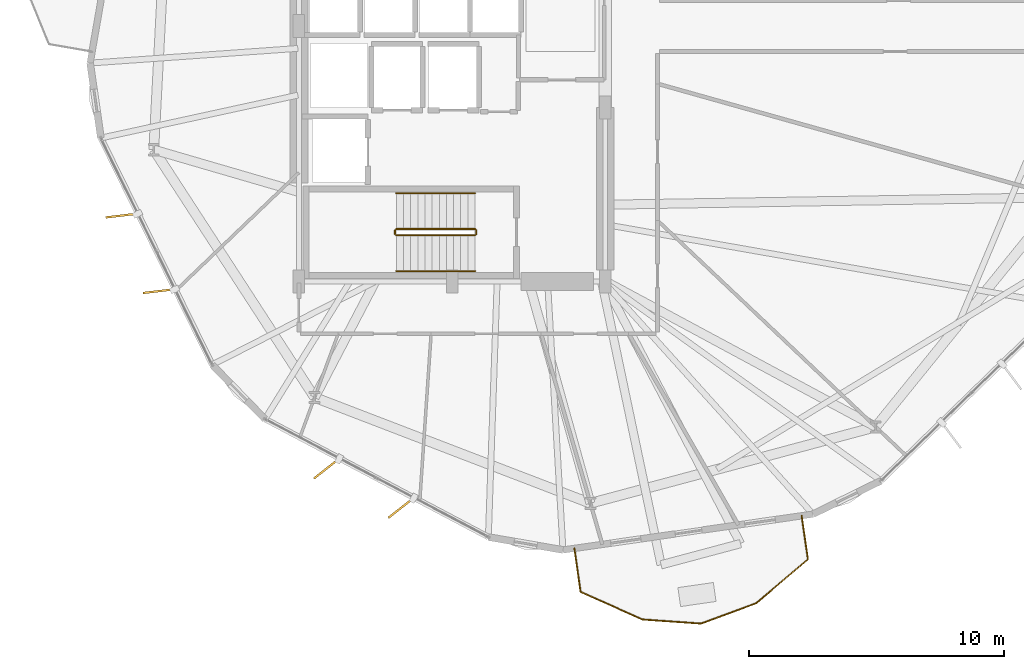
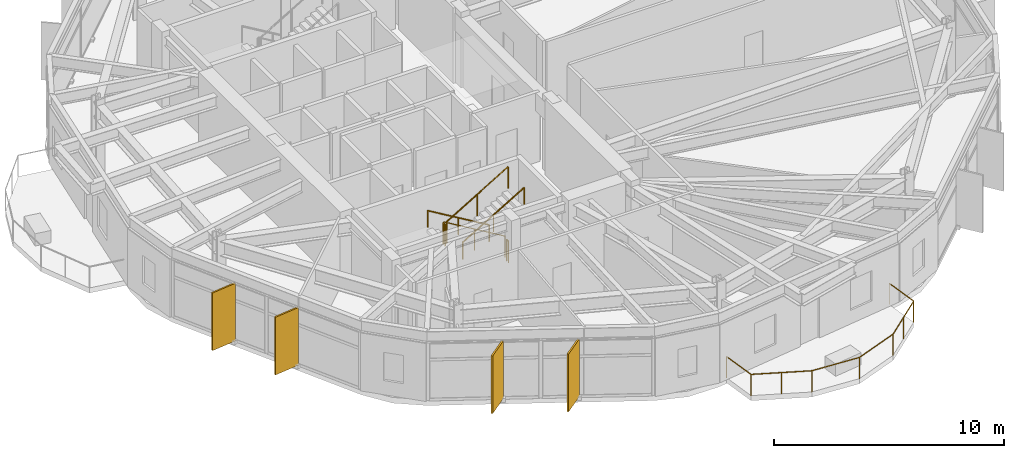
# One storey, part 20 of 22: 7 railings, 4 shading devices.
"""IFC4 building model written with IfcOpenShell, lengths in metres."""

from ifc_helpers import new_model, si_unit, direction, frame, origin, origin_2d, place, context, subcontext, project, spatial, rectangle, circle, extrude, material, layer, layer_set, type_object, element, save


model = new_model("IFC4")

# Units and contexts
model_context = context("Model", 3, precision=1e-05, world=origin(), true_north=direction((0.0, 1.0)))
body_context = subcontext(model_context, "Body", "Model", "MODEL_VIEW")
ifc_project = project(units=[si_unit("LENGTHUNIT", "METRE"), si_unit("AREAUNIT", "SQUARE_METRE"), si_unit("VOLUMEUNIT", "CUBIC_METRE"), si_unit("PLANEANGLEUNIT", "RADIAN"), si_unit("MASSUNIT", "GRAM", prefix="KILO")], contexts=[model_context])

# Site, building, storey
site_placement = place(None, origin())
site = spatial("IfcSite", under=ifc_project, at=site_placement, CompositionType="ELEMENT")
building_placement = place(site_placement, origin())
building = spatial("IfcBuilding", under=site, at=building_placement, Name="Soratama Intermodal Tower", CompositionType="ELEMENT")
storey_placement = place(building_placement, frame((0.0, 0.0, 58.60009765625)))
storey = spatial("IfcBuildingStorey", under=building, at=storey_placement, Name="L13", CompositionType="ELEMENT", Elevation=58.60009765625)

# Railings
ifc_material_1 = material(Name="Laminated glass and stainless steel balustrade", Category="steel")
railing_type_1 = type_object("IfcRailingType", Name="RL-BAL-1150", PredefinedType="BALUSTRADE", material=ifc_material_1)
railing_1_placement = place(storey_placement, frame((52.2939453125, 5.8154296875, 0.0)))
element("IfcRailing", 1, at=railing_1_placement, inside=storey, type_object=railing_type_1, Name="L13 Balcony Balustrade 3", PredefinedType="BALUSTRADE", context=body_context, shape_type="SweptSolid", body=[
    extrude(circle(Radius=0.02392578125, at=origin_2d()), frame((0.0, 0.0, 1.1259765625), z_axis=(0.141937991265, -0.989875551085, 0.0), x_axis=(0.989875551085, 0.141937991265, 0.0)), (0.0, 0.0, 1.0), 1.719970703125),
    extrude(circle(Radius=0.02392578125, at=origin_2d()), frame((0.244140625, -1.70263671875, 1.1259765625), z_axis=(-0.762161470195, -0.647386973417, 0.0), x_axis=(0.647386973417, -0.762161470195, 0.0)), (0.0, 0.0, 1.0), 2.65673828125),
    extrude(circle(Radius=0.02392578125, at=origin_2d()), frame((-1.78076171875, -3.422607421875, 1.1259765625), z_axis=(-0.937756442599, -0.347293614056, 0.0), x_axis=(0.347293614056, -0.937756442599, 0.0)), (0.0, 0.0, 1.0), 2.300048828125),
    extrude(circle(Radius=0.02392578125, at=origin_2d()), frame((-3.937744140625, -4.221435546875, 1.1259765625), z_axis=(-0.997558449591, 0.069836520888, 0.0), x_axis=(-0.069836520888, -0.997558449591, 0.0)), (0.0, 0.0, 1.0), 2.30029296875),
    extrude(circle(Radius=0.02392578125, at=origin_2d()), frame((-6.232421875, -4.060791015625, 1.1259765625), z_axis=(-0.913379014024, 0.407110275896, 0.0), x_axis=(-0.407110275896, -0.913379014024, 0.0)), (0.0, 0.0, 1.0), 2.65673828125),
    extrude(circle(Radius=0.02392578125, at=origin_2d()), frame((-8.658935546875, -2.979248046875, 1.1259765625), z_axis=(-0.141937991265, 0.989875551085, 0.0), x_axis=(-0.989875551085, -0.141937991265, 0.0)), (0.0, 0.0, 1.0), 1.719970703125),
    extrude(circle(Radius=0.02099609375, at=origin_2d()), origin(), (0.0, 0.0, 1.0), 1.101806640625),
    extrude(circle(Radius=0.02099609375, at=origin_2d()), frame((0.244140625, -1.70263671875, 0.0)), (0.0, 0.0, 1.0), 1.101806640625),
    extrude(circle(Radius=0.02099609375, at=origin_2d()), frame((-0.768310546875, -2.5625, 0.0)), (0.0, 0.0, 1.0), 1.101806640625),
    extrude(circle(Radius=0.02099609375, at=origin_2d()), frame((-1.78076171875, -3.422607421875, 0.0)), (0.0, 0.0, 1.0), 1.101806640625),
    extrude(circle(Radius=0.02099609375, at=origin_2d()), frame((-3.937744140625, -4.221435546875, 0.0)), (0.0, 0.0, 1.0), 1.101806640625),
    extrude(circle(Radius=0.02099609375, at=origin_2d()), frame((-6.232421875, -4.060791015625, 0.0)), (0.0, 0.0, 1.0), 1.101806640625),
    extrude(circle(Radius=0.02099609375, at=origin_2d()), frame((-7.44580078125, -3.52001953125, 0.0)), (0.0, 0.0, 1.0), 1.101806640625),
    extrude(circle(Radius=0.02099609375, at=origin_2d()), frame((-8.658935546875, -2.979248046875, 0.0)), (0.0, 0.0, 1.0), 1.101806640625),
    extrude(circle(Radius=0.02099609375, at=origin_2d()), frame((-8.903076171875, -1.276611328125, 0.0)), (0.0, 0.0, 1.0), 1.101806640625),
])
ifc_material_2 = material(Name="Painted steel stair guardrail", Category="steel")
railing_type_2 = type_object("IfcRailingType", Name="RL-STAIR-GUARD", PredefinedType="GUARDRAIL", material=ifc_material_2)
railing_2_placement = place(storey_placement, frame((39.5, 17.050048828125, 0.16650390625)))
element("IfcRailing", 2, at=railing_2_placement, inside=storey, type_object=railing_type_2, Name="L13 ST-1 stair guard 1", PredefinedType="GUARDRAIL", context=body_context, shape_type="SweptSolid", body=[
    extrude(circle(Radius=0.02392578125, at=origin_2d()), frame((0.0, 0.0, 1.1259765625), z_axis=(-0.85927862911, 0.0, 0.511507807912), x_axis=(0.0, -1.0, 0.0)), (0.0, 0.0, 1.0), 3.58447265625),
    extrude(circle(Radius=0.02099609375, at=origin_2d()), origin(), (0.0, 0.0, 1.0), 1.101806640625),
    extrude(circle(Radius=0.02099609375, at=origin_2d()), frame((-1.5400390625, 0.0, 0.916748046875)), (0.0, 0.0, 1.0), 1.101806640625),
    extrude(circle(Radius=0.02099609375, at=origin_2d()), frame((-3.080078125, 0.0, 1.83349609375)), (0.0, 0.0, 1.0), 1.101806640625),
])
railing_3_placement = place(storey_placement, frame((36.3701171875, 17.0, 2.0)))
element("IfcRailing", 3, at=railing_3_placement, inside=storey, type_object=railing_type_2, Name="L13 ST-1 stair guard 2", PredefinedType="GUARDRAIL", context=body_context, shape_type="SweptSolid", body=[
    extrude(circle(Radius=0.02392578125, at=origin_2d()), frame((0.0, 0.0, 1.1259765625), z_axis=(0.0, -1.0, 0.0), x_axis=(1.0, 0.0, 0.0)), (0.0, 0.0, 1.0), 0.14990234375),
    extrude(circle(Radius=0.02099609375, at=origin_2d()), origin(), (0.0, 0.0, 1.0), 1.101806640625),
    extrude(circle(Radius=0.02099609375, at=origin_2d()), frame((0.0, -0.14990234375, 0.0)), (0.0, 0.0, 1.0), 1.101806640625),
])
railing_4_placement = place(storey_placement, frame((36.419921875, 16.800048828125, 2.16650390625)))
element("IfcRailing", 4, at=railing_4_placement, inside=storey, type_object=railing_type_2, Name="L13 ST-1 stair guard 3", PredefinedType="GUARDRAIL", context=body_context, shape_type="SweptSolid", body=[
    extrude(circle(Radius=0.02392578125, at=origin_2d()), frame((0.0, 0.0, 1.1259765625), z_axis=(0.85927862911, 0.0, 0.511507807912), x_axis=(0.0, 1.0, 0.0)), (0.0, 0.0, 1.0), 3.58447265625),
    extrude(circle(Radius=0.02099609375, at=origin_2d()), origin(), (0.0, 0.0, 1.0), 1.101806640625),
    extrude(circle(Radius=0.02099609375, at=origin_2d()), frame((1.5400390625, 0.0, 0.916748046875)), (0.0, 0.0, 1.0), 1.101806640625),
    extrude(circle(Radius=0.02099609375, at=origin_2d()), frame((3.080078125, 0.0, 1.83349609375)), (0.0, 0.0, 1.0), 1.101806640625),
])
railing_5_placement = place(storey_placement, frame((39.550048828125, 17.0, 0.0)))
element("IfcRailing", 5, at=railing_5_placement, inside=storey, type_object=railing_type_2, Name="L13 ST-1 stair guard 4", PredefinedType="GUARDRAIL", context=body_context, shape_type="SweptSolid", body=[
    extrude(circle(Radius=0.02392578125, at=origin_2d()), frame((0.0, 0.0, 1.1259765625), z_axis=(0.0, -1.0, 0.0), x_axis=(1.0, 0.0, 0.0)), (0.0, 0.0, 1.0), 0.14990234375),
    extrude(circle(Radius=0.02099609375, at=origin_2d()), origin(), (0.0, 0.0, 1.0), 1.101806640625),
    extrude(circle(Radius=0.02099609375, at=origin_2d()), frame((0.0, -0.14990234375, 0.0)), (0.0, 0.0, 1.0), 1.101806640625),
])
ifc_material_3 = material(Name="Brushed stainless steel handrail", Category="steel")
railing_type_3 = type_object("IfcRailingType", Name="RL-STAIR-HAND", PredefinedType="HANDRAIL", material=ifc_material_3)
railing_6_placement = place(storey_placement, frame((39.5, 18.449951171875, 0.16650390625)))
element("IfcRailing", 6, at=railing_6_placement, inside=storey, type_object=railing_type_3, Name="L13 ST-1 stair handrail 1", PredefinedType="HANDRAIL", context=body_context, shape_type="SweptSolid", body=[
    extrude(circle(Radius=0.02392578125, at=origin_2d()), frame((0.0, 0.0, 0.8759765625), z_axis=(-0.85927862911, 0.0, 0.511507807912), x_axis=(0.0, -1.0, 0.0)), (0.0, 0.0, 1.0), 3.58447265625),
    extrude(circle(Radius=0.02099609375, at=origin_2d()), origin(), (0.0, 0.0, 1.0), 0.851806640625),
    extrude(circle(Radius=0.02099609375, at=origin_2d()), frame((-1.5400390625, 0.0, 0.916748046875)), (0.0, 0.0, 1.0), 0.851806640625),
    extrude(circle(Radius=0.02099609375, at=origin_2d()), frame((-3.080078125, 0.0, 1.83349609375)), (0.0, 0.0, 1.0), 0.851806640625),
])
railing_7_placement = place(storey_placement, frame((36.419921875, 15.39990234375, 2.16650390625)))
element("IfcRailing", 7, at=railing_7_placement, inside=storey, type_object=railing_type_3, Name="L13 ST-1 stair handrail 2", PredefinedType="HANDRAIL", context=body_context, shape_type="SweptSolid", body=[
    extrude(circle(Radius=0.02392578125, at=origin_2d()), frame((0.0, 0.0, 0.8759765625), z_axis=(0.85927862911, 0.0, 0.511507807912), x_axis=(0.0, 1.0, 0.0)), (0.0, 0.0, 1.0), 3.58447265625),
    extrude(circle(Radius=0.02099609375, at=origin_2d()), origin(), (0.0, 0.0, 1.0), 0.851806640625),
    extrude(circle(Radius=0.02099609375, at=origin_2d()), frame((1.5400390625, 0.0, 0.916748046875)), (0.0, 0.0, 1.0), 0.851806640625),
    extrude(circle(Radius=0.02099609375, at=origin_2d()), frame((3.080078125, 0.0, 1.83349609375)), (0.0, 0.0, 1.0), 0.851806640625),
])

# Shading devices
ifc_material_4 = material(Name="Champagne anodised aluminium solar fin", Category="aluminium")
ifc_layer = layer(ifc_material_4, 0.080078125)
ifc_layer_set = layer_set([ifc_layer], Name="Champagne anodised aluminium solar fin")
shading_device_type = type_object("IfcShadingDeviceType", Name="SH-FIN-1250", PredefinedType="USERDEFINED", material=ifc_layer_set)
for number, where, z_axis, x_axis, name in (
    (8, (25.658203125, 17.57568359375, 0.019775390625), (0.0, 0.0, 1.0), (-0.993088955975, -0.117364072526, 0.0), "L13 Solar Fin F06-1"),
    (9, (27.1123046875, 14.615234375, 0.019775390625), (0.0, 0.0, 1.0), (-0.993088955975, -0.117364072526, 0.0), "L13 Solar Fin F06-2"),
    (10, (33.6826171875, 7.663818359375, 0.019775390625), (0.0, 0.0, 1.0), (-0.786288432137, -0.61785961309, 0.0), "L13 Solar Fin F07-1"),
    (11, (36.59912109375, 6.123779296875, 0.019775390625), (0.0, 0.0, 1.0), (-0.786288432137, -0.61785961309, 0.0), "L13 Solar Fin F07-2"),
):
    element("IfcShadingDevice", number, at=place(storey_placement, frame(where, z_axis=z_axis, x_axis=x_axis)), inside=storey, type_object=shading_device_type, Name=name, ObjectType="FIN", PredefinedType="USERDEFINED", context=body_context, shape_type="SweptSolid", body=[
        extrude(rectangle(XDim=1.25, YDim=0.080078125, at=origin_2d()), origin(), (0.0, 0.0, 1.0), 3.05908203125),
    ])

save(model, "model.ifc")
